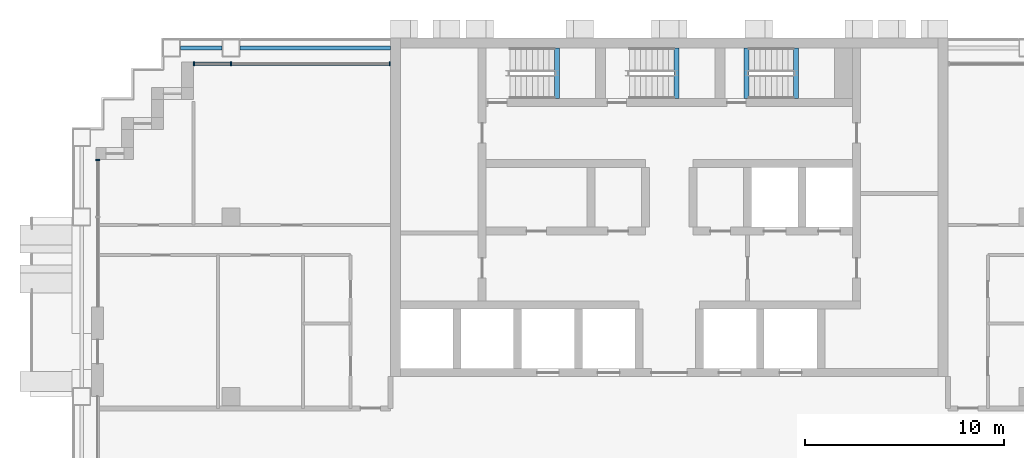
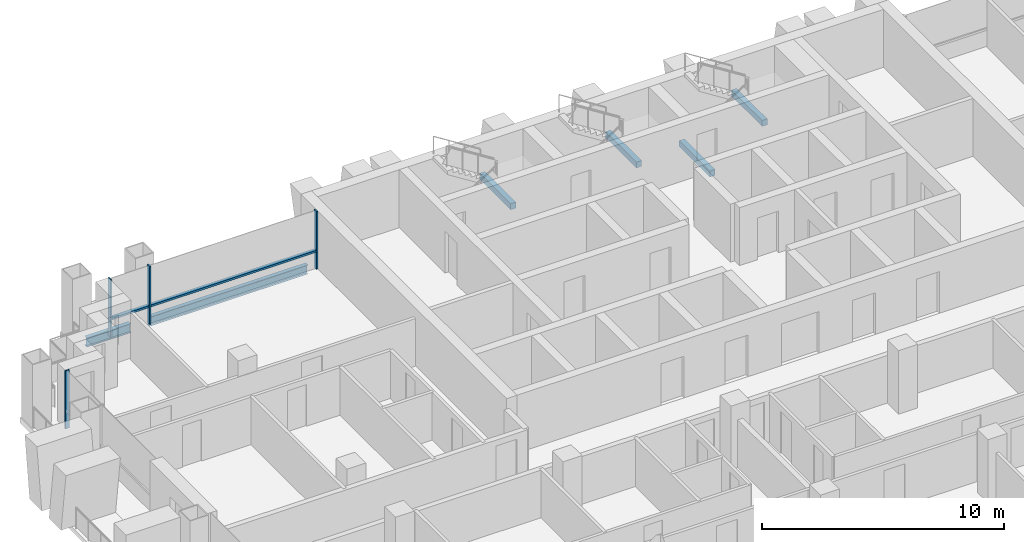
# One storey, part 4 of 17: 6 beams, 6 members, 2 elements without a shape of their own.
"""IFC4 building model written with IfcOpenShell, lengths in metres."""

from ifc_helpers import new_model, si_unit, direction, frame, origin, origin_2d, place, context, subcontext, project, spatial, rectangle, i_section, extrude, material, material_profile, profile_set, type_object, element, aggregate, save


model = new_model("IFC4")

# Units and contexts
model_context = context("Model", 3, precision=1e-05, world=origin(), true_north=direction((0.0, 1.0)))
body_context = subcontext(model_context, "Body", "Model", "MODEL_VIEW")
ifc_project = project(units=[si_unit("LENGTHUNIT", "METRE"), si_unit("AREAUNIT", "SQUARE_METRE"), si_unit("VOLUMEUNIT", "CUBIC_METRE"), si_unit("PLANEANGLEUNIT", "RADIAN"), si_unit("MASSUNIT", "GRAM", prefix="KILO")], contexts=[model_context])

# Site, building, storey
site_placement = place(None, origin())
site = spatial("IfcSite", under=ifc_project, at=site_placement, CompositionType="ELEMENT")
building_placement = place(site_placement, origin())
building = spatial("IfcBuilding", under=site, at=building_placement, Name="Vidyagriha Tower", CompositionType="ELEMENT")
storey_placement = place(building_placement, frame((0.0, 0.0, 96.699951171875)))
storey = spatial("IfcBuildingStorey", under=building, at=storey_placement, Name="L25", CompositionType="ELEMENT", Elevation=96.699951171875)

# Beams
ifc_material_1 = material(Name="Steel ASTM A992 Grade 50", Category="steel")
ifc_material_profile_1 = material_profile(ifc_material_1, i_section(OverallWidth=0.19189453125, OverallDepth=0.46240234375, WebThickness=0.010498046875, FlangeThickness=0.017578125, at=origin_2d()), Name="W18X60")
ifc_profile_set_1 = profile_set([ifc_material_profile_1], Name="Steel ASTM A992 Grade 50")
beam_type_1 = type_object("IfcBeamType", Name="Edge beam W18X60", PredefinedType="SPANDREL", material=ifc_profile_set_1)
beam_1_placement = place(storey_placement, frame((-24.550048828125, 19.5, -0.510986328125), z_axis=(1.0, 0.0, 0.0), x_axis=(0.0, 1.0, 0.0)))
element("IfcBeam", 1, at=beam_1_placement, inside=storey, type_object=beam_type_1, Name="st-beam-L25-NW20", PredefinedType="SPANDREL", context=body_context, shape_type="SweptSolid", body=[
    extrude(i_section(OverallWidth=0.19189453125, OverallDepth=0.46240234375, WebThickness=0.010498046875, FlangeThickness=0.017578125, at=origin_2d()), origin(), (0.0, 0.0, 1.0), 2.10009765625),
])
beam_2_placement = place(storey_placement, frame((-21.550048828125, 19.5, -0.510986328125), z_axis=(1.0, 0.0, 0.0), x_axis=(0.0, 1.0, 0.0)))
element("IfcBeam", 2, at=beam_2_placement, inside=storey, type_object=beam_type_1, Name="st-beam-L25-NC24", PredefinedType="SPANDREL", context=body_context, shape_type="SweptSolid", body=[
    extrude(i_section(OverallWidth=0.19189453125, OverallDepth=0.46240234375, WebThickness=0.010498046875, FlangeThickness=0.017578125, at=origin_2d()), origin(), (0.0, 0.0, 1.0), 7.550048828125),
])

# Curtain wall, members
ifc_material_2 = material(Name="Aluminium and glass curtain wall", Category="aluminium")
curtain_wall_type = type_object("IfcCurtainWallType", Name="Dwelling skin unitised curtain wall", PredefinedType="USERDEFINED", material=ifc_material_2)
curtain_wall_1_placement = place(storey_placement, origin())
curtain_wall_1 = element("IfcCurtainWall", 3, at=curtain_wall_1_placement, inside=storey, type_object=curtain_wall_type, Name="CW1 dwelling skin", ObjectType="UNITISED", PredefinedType="USERDEFINED")
ifc_material_3 = material(Name="Aluminium black anodised", Category="aluminium")
ifc_material_profile_2 = material_profile(ifc_material_3, rectangle(XDim=0.199951171875, YDim=0.070068359375, at=origin_2d()), Name="Mullion 70x200 black aluminium")
ifc_profile_set_2 = profile_set([ifc_material_profile_2], Name="Aluminium black anodised")
member_type_1 = type_object("IfcMemberType", Name="Mullion 70x200 black aluminium", PredefinedType="MULLION", material=ifc_profile_set_2)
member_1_placement = place(storey_placement, frame((-14.034912109375, 18.699951171875, 0.0), z_axis=(0.0, 0.0, 1.0), x_axis=(0.0, -1.0, 0.0)))
member_1 = element("IfcMember", 4, at=member_1_placement, type_object=member_type_1, Name="CW1 mullion 1", PredefinedType="MULLION", context=body_context, shape_type="SweptSolid", body=[
    extrude(rectangle(XDim=0.199951171875, YDim=0.070068359375, at=origin_2d()), origin(), (0.0, 0.0, 1.0), 2.920166015625),
])
member_2_placement = place(storey_placement, frame((-22.0, 18.699951171875, 0.0), z_axis=(0.0, 0.0, 1.0), x_axis=(0.0, -1.0, 0.0)))
member_2 = element("IfcMember", 5, at=member_2_placement, type_object=member_type_1, Name="CW1 mullion 2", PredefinedType="MULLION", context=body_context, shape_type="SweptSolid", body=[
    extrude(rectangle(XDim=0.199951171875, YDim=0.070068359375, at=origin_2d()), origin(), (0.0, 0.0, 1.0), 2.920166015625),
])
member_3_placement = place(storey_placement, frame((-23.864990234375, 18.699951171875, 0.0), z_axis=(0.0, 0.0, 1.0), x_axis=(0.0, -1.0, 0.0)))
member_3 = element("IfcMember", 6, at=member_3_placement, type_object=member_type_1, Name="CW1 mullion 3", PredefinedType="MULLION", context=body_context, shape_type="SweptSolid", body=[
    extrude(rectangle(XDim=0.199951171875, YDim=0.070068359375, at=origin_2d()), origin(), (0.0, 0.0, 1.0), 2.920166015625),
])

# Curtain wall, member
curtain_wall_2_placement = place(storey_placement, origin())
curtain_wall_2 = element("IfcCurtainWall", 7, at=curtain_wall_2_placement, inside=storey, type_object=curtain_wall_type, Name="CW1 dwelling skin", ObjectType="UNITISED", PredefinedType="USERDEFINED")
member_4_placement = place(storey_placement, frame((-28.699951171875, 13.864990234375, 0.0)))
member_4 = element("IfcMember", 8, at=member_4_placement, type_object=member_type_1, Name="CW1 mullion 1", PredefinedType="MULLION", context=body_context, shape_type="SweptSolid", body=[
    extrude(rectangle(XDim=0.199951171875, YDim=0.070068359375, at=origin_2d()), origin(), (0.0, 0.0, 1.0), 2.920166015625),
])
aggregate(curtain_wall_2, [member_4])

# Beams
ifc_material_4 = material(Name="Concrete C40/50", Category="concrete")
ifc_material_profile_3 = material_profile(ifc_material_4, rectangle(XDim=0.25, YDim=0.300048828125, at=origin_2d()), Name="Stair landing bearing beam 250x300")
ifc_profile_set_3 = profile_set([ifc_material_profile_3], Name="Concrete C40/50")
beam_type_2 = type_object("IfcBeamType", Name="Stair landing bearing beam 250x300", PredefinedType="BEAM", material=ifc_profile_set_3)
for number, where, z_axis, x_axis, name in (
    (9, (3.875, 16.949951171875, -0.429931640625), (0.0, 1.0, 0.0), (-1.0, 0.0, 0.0), "ST3 floor landing bearing beam L25"),
    (10, (-5.635009765625, 16.949951171875, 1.25), (0.0, 1.0, 0.0), (-1.0, 0.0, 0.0), "ST1 landing bearing beam L25"),
    (11, (0.364990234375, 16.949951171875, 1.25), (0.0, 1.0, 0.0), (-1.0, 0.0, 0.0), "ST2 landing bearing beam L25"),
    (12, (6.364990234375, 16.949951171875, 1.25), (0.0, 1.0, 0.0), (-1.0, 0.0, 0.0), "ST3 landing bearing beam L25"),
):
    element("IfcBeam", number, at=place(storey_placement, frame(where, z_axis=z_axis, x_axis=x_axis)), inside=storey, type_object=beam_type_2, Name=name, PredefinedType="BEAM", context=body_context, shape_type="SweptSolid", body=[
        extrude(rectangle(XDim=0.25, YDim=0.300048828125, at=origin_2d()), origin(), (0.0, 0.0, 1.0), 2.550048828125),
    ])

# Member
ifc_material_5 = material(Name="Aluminium black anodised", Category="aluminium")
ifc_material_profile_4 = material_profile(ifc_material_5, rectangle(XDim=0.159912109375, YDim=0.10009765625, at=origin_2d()), Name="Transom 100x160 black aluminium")
ifc_profile_set_4 = profile_set([ifc_material_profile_4], Name="Aluminium black anodised")
member_type_2 = type_object("IfcMemberType", Name="Transom 100x160 black aluminium", PredefinedType="USERDEFINED", material=ifc_profile_set_4)
member_5_placement = place(storey_placement, frame((-14.070068359375, 18.699951171875, 0.900146484375), z_axis=(-1.0, 0.0, 0.0), x_axis=(0.0, -1.0, 0.0)))
member_5 = element("IfcMember", 13, at=member_5_placement, type_object=member_type_2, Name="CW1 transom 1.1", ObjectType="TRANSOM", PredefinedType="USERDEFINED", context=body_context, shape_type="SweptSolid", body=[
    extrude(rectangle(XDim=0.159912109375, YDim=0.10009765625, at=origin_2d()), origin(), (0.0, 0.0, 1.0), 7.89501953125),
])

member_6_placement = place(storey_placement, frame((-22.034912109375, 18.699951171875, 0.900146484375), z_axis=(-1.0, 0.0, 0.0), x_axis=(0.0, -1.0, 0.0)))
member_6 = element("IfcMember", 14, at=member_6_placement, type_object=member_type_2, Name="CW1 transom 2.1", ObjectType="TRANSOM", PredefinedType="USERDEFINED", context=body_context, shape_type="SweptSolid", body=[
    extrude(rectangle(XDim=0.159912109375, YDim=0.10009765625, at=origin_2d()), origin(), (0.0, 0.0, 1.0), 1.795166015625),
])

aggregate(curtain_wall_1, [member_1, member_2, member_3, member_5, member_6])

save(model, "model.ifc")
